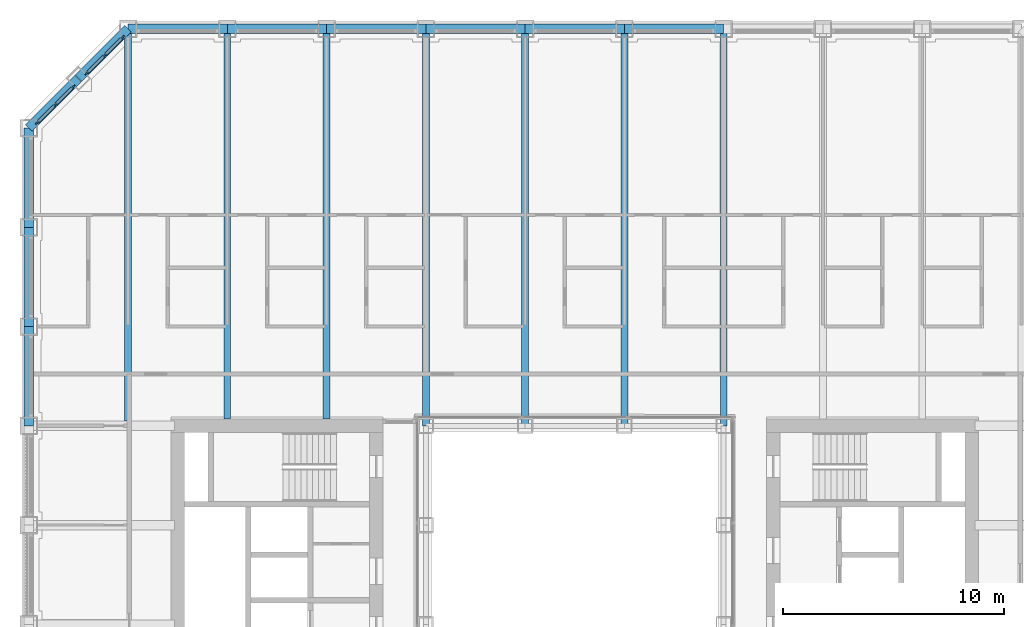
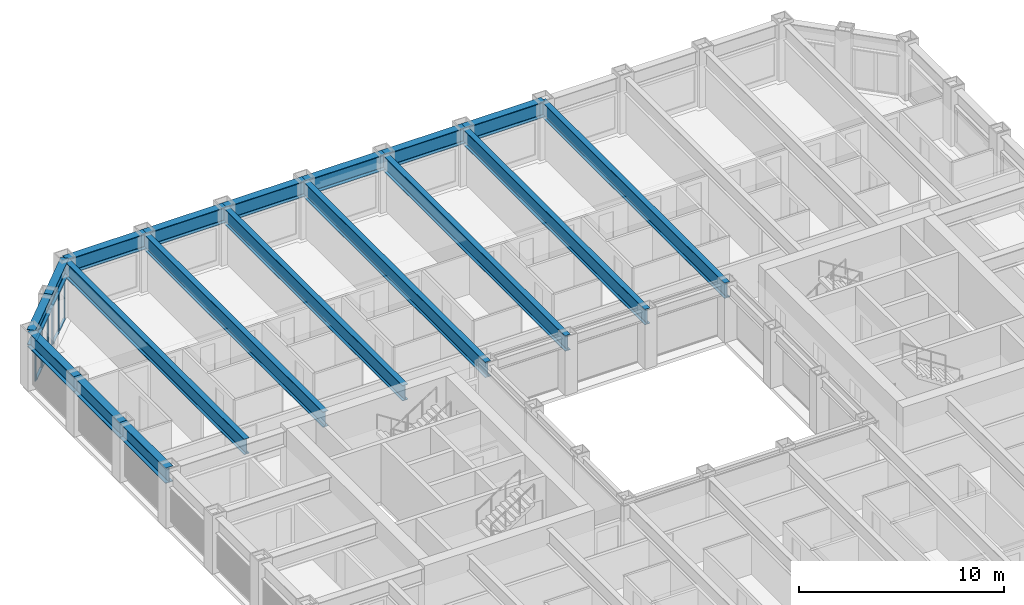
# One storey, part 6 of 21: 18 beams, 14 members, 2 elements without a shape of their own.
"""IFC4 building model written with IfcOpenShell, lengths in metres."""

from ifc_helpers import new_model, si_unit, direction, frame, origin, origin_2d, place, context, subcontext, project, spatial, rectangle, i_section, extrude, material, material_profile, profile_set, type_object, element, aggregate, save


model = new_model("IFC4")

# Units and contexts
model_context = context("Model", 3, precision=1e-05, world=origin(), true_north=direction((0.0, 1.0)))
body_context = subcontext(model_context, "Body", "Model", "MODEL_VIEW")
ifc_project = project(units=[si_unit("LENGTHUNIT", "METRE"), si_unit("AREAUNIT", "SQUARE_METRE"), si_unit("VOLUMEUNIT", "CUBIC_METRE"), si_unit("PLANEANGLEUNIT", "RADIAN"), si_unit("MASSUNIT", "GRAM", prefix="KILO")], contexts=[model_context])

# Site, building, storey
site_placement = place(None, origin())
site = spatial("IfcSite", under=ifc_project, at=site_placement, CompositionType="ELEMENT")
building_placement = place(site_placement, origin())
building = spatial("IfcBuilding", under=site, at=building_placement, Name="Msasa Ring Tower", CompositionType="ELEMENT")
storey_placement = place(building_placement, frame((0.0, 0.0, 93.0)))
storey = spatial("IfcBuildingStorey", under=building, at=storey_placement, Name="L24", CompositionType="ELEMENT", Elevation=93.0)

# Curtain wall, members
ifc_material_1 = material(Name="Aluminium curtain wall with clear glass", Category="aluminium")
curtain_wall_type = type_object("IfcCurtainWallType", Name="CW-C CHAMFER CORNER CURTAIN WALL", PredefinedType="NOTDEFINED", material=ifc_material_1)
curtain_wall_1_placement = place(storey_placement, origin())
curtain_wall_1 = element("IfcCurtainWall", 1, at=curtain_wall_1_placement, inside=storey, type_object=curtain_wall_type, Name="Chamfer corner curtain wall NW L24", PredefinedType="NOTDEFINED")
ifc_material_2 = material(Name="Aluminium mullion", Category="aluminium")
ifc_material_profile_1 = material_profile(ifc_material_2, rectangle(XDim=0.06494140625, YDim=0.179931640625, at=origin_2d()), Name="AL 65x180")
ifc_profile_set_1 = profile_set([ifc_material_profile_1], Name="Aluminium mullion")
member_type_1 = type_object("IfcMemberType", Name="CW-C MULLION 65x180", PredefinedType="MULLION", material=ifc_profile_set_1)
member_1_placement = place(storey_placement, frame((-22.73876953125, 22.119873046875, 0.0), z_axis=(0.0, 0.0, 1.0), x_axis=(0.707106781187, -0.707106781187, 0.0)))
member_1 = element("IfcMember", 2, at=member_1_placement, type_object=member_type_1, Name="CW-C mullion 1", PredefinedType="MULLION", context=body_context, shape_type="SweptSolid", body=[
    extrude(rectangle(XDim=0.06494140625, YDim=0.179931640625, at=origin_2d()), origin(), (0.0, 0.0, 1.0), 2.37890625),
])
member_2_placement = place(storey_placement, frame((-23.55419921875, 21.30419921875, 0.0), z_axis=(0.0, 0.0, 1.0), x_axis=(0.707106781187, -0.707106781187, 0.0)))
member_2 = element("IfcMember", 3, at=member_2_placement, type_object=member_type_1, Name="CW-C mullion 2", PredefinedType="MULLION", context=body_context, shape_type="SweptSolid", body=[
    extrude(rectangle(XDim=0.06494140625, YDim=0.179931640625, at=origin_2d()), origin(), (0.0, 0.0, 1.0), 2.37890625),
])
member_3_placement = place(storey_placement, frame((-24.369873046875, 20.48876953125, 0.0), z_axis=(0.0, 0.0, 1.0), x_axis=(0.707106781187, -0.707106781187, 0.0)))
member_3 = element("IfcMember", 4, at=member_3_placement, type_object=member_type_1, Name="CW-C mullion 3", PredefinedType="MULLION", context=body_context, shape_type="SweptSolid", body=[
    extrude(rectangle(XDim=0.06494140625, YDim=0.179931640625, at=origin_2d()), origin(), (0.0, 0.0, 1.0), 2.37890625),
])

curtain_wall_2_placement = place(storey_placement, origin())
curtain_wall_2 = element("IfcCurtainWall", 5, at=curtain_wall_2_placement, inside=storey, type_object=curtain_wall_type, Name="Chamfer corner curtain wall NW L24", PredefinedType="NOTDEFINED")
member_4_placement = place(storey_placement, frame((-20.48876953125, 24.369873046875, 0.0), z_axis=(0.0, 0.0, 1.0), x_axis=(0.707106781187, -0.707106781187, 0.0)))
member_4 = element("IfcMember", 6, at=member_4_placement, type_object=member_type_1, Name="CW-C mullion 1", PredefinedType="MULLION", context=body_context, shape_type="SweptSolid", body=[
    extrude(rectangle(XDim=0.06494140625, YDim=0.179931640625, at=origin_2d()), origin(), (0.0, 0.0, 1.0), 2.37890625),
])
member_5_placement = place(storey_placement, frame((-21.30419921875, 23.55419921875, 0.0), z_axis=(0.0, 0.0, 1.0), x_axis=(0.707106781187, -0.707106781187, 0.0)))
member_5 = element("IfcMember", 7, at=member_5_placement, type_object=member_type_1, Name="CW-C mullion 2", PredefinedType="MULLION", context=body_context, shape_type="SweptSolid", body=[
    extrude(rectangle(XDim=0.06494140625, YDim=0.179931640625, at=origin_2d()), origin(), (0.0, 0.0, 1.0), 2.37890625),
])
member_6_placement = place(storey_placement, frame((-22.119873046875, 22.73876953125, 0.0), z_axis=(0.0, 0.0, 1.0), x_axis=(0.707106781187, -0.707106781187, 0.0)))
member_6 = element("IfcMember", 8, at=member_6_placement, type_object=member_type_1, Name="CW-C mullion 3", PredefinedType="MULLION", context=body_context, shape_type="SweptSolid", body=[
    extrude(rectangle(XDim=0.06494140625, YDim=0.179931640625, at=origin_2d()), origin(), (0.0, 0.0, 1.0), 2.37890625),
])

# Member
ifc_material_3 = material(Name="Aluminium transom", Category="aluminium")
ifc_material_profile_2 = material_profile(ifc_material_3, rectangle(XDim=0.139892578125, YDim=0.06494140625, at=origin_2d()), Name="AL 65x140")
ifc_profile_set_2 = profile_set([ifc_material_profile_2], Name="Aluminium transom")
member_type_2 = type_object("IfcMemberType", Name="CW-C TRANSOM 65x140", PredefinedType="USERDEFINED", material=ifc_profile_set_2)
member_7_placement = place(storey_placement, frame((-22.76171875, 22.096923828125, 0.032470703125), z_axis=(-0.707106781187, -0.707106781187, 0.0), x_axis=(0.707106781187, -0.707106781187, 0.0)))
member_7 = element("IfcMember", 9, at=member_7_placement, type_object=member_type_2, Name="CW-C transom 1.1", ObjectType="TRANSOM", PredefinedType="USERDEFINED", context=body_context, shape_type="SweptSolid", body=[
    extrude(rectangle(XDim=0.139892578125, YDim=0.06494140625, at=origin_2d()), origin(), (0.0, 0.0, 1.0), 1.08837890625),
])

member_8_placement = place(storey_placement, frame((-22.76171875, 22.096923828125, 2.346435546875), z_axis=(-0.707106781187, -0.707106781187, 0.0), x_axis=(0.707106781187, -0.707106781187, 0.0)))
member_8 = element("IfcMember", 10, at=member_8_placement, type_object=member_type_2, Name="CW-C transom 1.2", ObjectType="TRANSOM", PredefinedType="USERDEFINED", context=body_context, shape_type="SweptSolid", body=[
    extrude(rectangle(XDim=0.139892578125, YDim=0.06494140625, at=origin_2d()), origin(), (0.0, 0.0, 1.0), 1.08837890625),
])

member_9_placement = place(storey_placement, frame((-23.577392578125, 21.28125, 0.032470703125), z_axis=(-0.707106781187, -0.707106781187, 0.0), x_axis=(0.707106781187, -0.707106781187, 0.0)))
member_9 = element("IfcMember", 11, at=member_9_placement, type_object=member_type_2, Name="CW-C transom 2.1", ObjectType="TRANSOM", PredefinedType="USERDEFINED", context=body_context, shape_type="SweptSolid", body=[
    extrude(rectangle(XDim=0.139892578125, YDim=0.06494140625, at=origin_2d()), origin(), (0.0, 0.0, 1.0), 1.08837890625),
])

member_10_placement = place(storey_placement, frame((-23.577392578125, 21.28125, 2.346435546875), z_axis=(-0.707106781187, -0.707106781187, 0.0), x_axis=(0.707106781187, -0.707106781187, 0.0)))
member_10 = element("IfcMember", 12, at=member_10_placement, type_object=member_type_2, Name="CW-C transom 2.2", ObjectType="TRANSOM", PredefinedType="USERDEFINED", context=body_context, shape_type="SweptSolid", body=[
    extrude(rectangle(XDim=0.139892578125, YDim=0.06494140625, at=origin_2d()), origin(), (0.0, 0.0, 1.0), 1.08837890625),
])

aggregate(curtain_wall_1, [member_1, member_2, member_3, member_7, member_8, member_9, member_10])

member_11_placement = place(storey_placement, frame((-20.51171875, 24.346923828125, 0.032470703125), z_axis=(-0.707106781187, -0.707106781187, 0.0), x_axis=(0.707106781187, -0.707106781187, 0.0)))
member_11 = element("IfcMember", 13, at=member_11_placement, type_object=member_type_2, Name="CW-C transom 1.1", ObjectType="TRANSOM", PredefinedType="USERDEFINED", context=body_context, shape_type="SweptSolid", body=[
    extrude(rectangle(XDim=0.139892578125, YDim=0.06494140625, at=origin_2d()), origin(), (0.0, 0.0, 1.0), 1.08837890625),
])

member_12_placement = place(storey_placement, frame((-20.51171875, 24.346923828125, 2.346435546875), z_axis=(-0.707106781187, -0.707106781187, 0.0), x_axis=(0.707106781187, -0.707106781187, 0.0)))
member_12 = element("IfcMember", 14, at=member_12_placement, type_object=member_type_2, Name="CW-C transom 1.2", ObjectType="TRANSOM", PredefinedType="USERDEFINED", context=body_context, shape_type="SweptSolid", body=[
    extrude(rectangle(XDim=0.139892578125, YDim=0.06494140625, at=origin_2d()), origin(), (0.0, 0.0, 1.0), 1.08837890625),
])

member_13_placement = place(storey_placement, frame((-21.327392578125, 23.53125, 0.032470703125), z_axis=(-0.707106781187, -0.707106781187, 0.0), x_axis=(0.707106781187, -0.707106781187, 0.0)))
member_13 = element("IfcMember", 15, at=member_13_placement, type_object=member_type_2, Name="CW-C transom 2.1", ObjectType="TRANSOM", PredefinedType="USERDEFINED", context=body_context, shape_type="SweptSolid", body=[
    extrude(rectangle(XDim=0.139892578125, YDim=0.06494140625, at=origin_2d()), origin(), (0.0, 0.0, 1.0), 1.08837890625),
])

member_14_placement = place(storey_placement, frame((-21.327392578125, 23.53125, 2.346435546875), z_axis=(-0.707106781187, -0.707106781187, 0.0), x_axis=(0.707106781187, -0.707106781187, 0.0)))
member_14 = element("IfcMember", 16, at=member_14_placement, type_object=member_type_2, Name="CW-C transom 2.2", ObjectType="TRANSOM", PredefinedType="USERDEFINED", context=body_context, shape_type="SweptSolid", body=[
    extrude(rectangle(XDim=0.139892578125, YDim=0.06494140625, at=origin_2d()), origin(), (0.0, 0.0, 1.0), 1.08837890625),
])

aggregate(curtain_wall_2, [member_4, member_5, member_6, member_11, member_12, member_13, member_14])

# Beams
ifc_material_4 = material(Name="Steel S355", Category="steel")
ifc_material_profile_3 = material_profile(ifc_material_4, i_section(OverallWidth=0.3076171875, OverallDepth=0.926513671875, WebThickness=0.01953125, FlangeThickness=0.031982421875, FilletRadius=0.01904296875, at=origin_2d()), Name="UB 914x305x289")
ifc_profile_set_3 = profile_set([ifc_material_profile_3], Name="Steel S355")
beam_type_1 = type_object("IfcBeamType", Name="FB3 UB 914x305x289", PredefinedType="BEAM", material=ifc_profile_set_3)
beam_placement = place(storey_placement, frame((-20.25, 24.75, 2.836669921875), z_axis=(0.0, -1.0, 0.0), x_axis=(1.0, 0.0, 0.0)))
element("IfcBeam", 17, at=beam_placement, inside=storey, type_object=beam_type_1, Name="Floor beam N-20.25 under L25", PredefinedType="BEAM", context=body_context, shape_type="SweptSolid", body=[
    extrude(i_section(OverallWidth=0.3076171875, OverallDepth=0.926513671875, WebThickness=0.01953125, FlangeThickness=0.031982421875, FilletRadius=0.01904296875, at=origin_2d()), origin(), (0.0, 0.0, 1.0), 17.789794921875),
])
for number, where, z_axis, x_axis, name in (
    (18, (-15.75, 24.75, 2.836669921875), (0.0, -1.0, 0.0), (1.0, 0.0, 0.0), "Floor beam N-15.75 under L25"),
    (19, (-11.25, 24.75, 2.836669921875), (0.0, -1.0, 0.0), (1.0, 0.0, 0.0), "Floor beam N-11.25 under L25"),
):
    element("IfcBeam", number, at=place(storey_placement, frame(where, z_axis=z_axis, x_axis=x_axis)), inside=storey, type_object=beam_type_1, Name=name, PredefinedType="BEAM", context=body_context, shape_type="SweptSolid", body=[
        extrude(i_section(OverallWidth=0.3076171875, OverallDepth=0.926513671875, WebThickness=0.01953125, FlangeThickness=0.031982421875, FilletRadius=0.01904296875, at=origin_2d()), origin(), (0.0, 0.0, 1.0), 17.699951171875),
    ])
for number, where, z_axis, x_axis, name in (
    (20, (-6.75, 24.75, 2.836669921875), (0.0, -1.0, 0.0), (1.0, 0.0, 0.0), "Floor beam N-6.75 under L25"),
    (21, (-2.25, 24.75, 2.836669921875), (0.0, -1.0, 0.0), (1.0, 0.0, 0.0), "Floor beam N-2.25 under L25"),
    (22, (2.25, 24.75, 2.836669921875), (0.0, -1.0, 0.0), (1.0, 0.0, 0.0), "Floor beam N+2.25 under L25"),
    (23, (6.75, 24.75, 2.836669921875), (0.0, -1.0, 0.0), (1.0, 0.0, 0.0), "Floor beam N+6.75 under L25"),
):
    element("IfcBeam", number, at=place(storey_placement, frame(where, z_axis=z_axis, x_axis=x_axis)), inside=storey, type_object=beam_type_1, Name=name, PredefinedType="BEAM", context=body_context, shape_type="SweptSolid", body=[
        extrude(i_section(OverallWidth=0.3076171875, OverallDepth=0.926513671875, WebThickness=0.01953125, FlangeThickness=0.031982421875, FilletRadius=0.01904296875, at=origin_2d()), origin(), (0.0, 0.0, 1.0), 18.0),
    ])
ifc_material_5 = material(Name="Steel S355", Category="steel")
ifc_material_profile_4 = material_profile(ifc_material_5, i_section(OverallWidth=0.42041015625, OverallDepth=0.9208984375, WebThickness=0.021484375, FlangeThickness=0.03662109375, FilletRadius=0.024169921875, at=origin_2d()), Name="UB 914x419x388")
ifc_profile_set_4 = profile_set([ifc_material_profile_4], Name="Steel S355")
beam_type_2 = type_object("IfcBeamType", Name="SB1 UB 914x419x388", PredefinedType="SPANDREL", material=ifc_profile_set_4)
for number, where, z_axis, x_axis, name in (
    (24, (6.75, 24.75, 2.839599609375), (-1.0, 0.0, 0.0), (0.0, -1.0, 0.0), "Spandrel N+6.75 to N+2.25 under L25"),
    (25, (2.25, 24.75, 2.839599609375), (-1.0, 0.0, 0.0), (0.0, -1.0, 0.0), "Spandrel N+2.25 to N-2.25 under L25"),
    (26, (-2.25, 24.75, 2.839599609375), (-1.0, 0.0, 0.0), (0.0, -1.0, 0.0), "Spandrel N-2.25 to N-6.75 under L25"),
    (27, (-6.75, 24.75, 2.839599609375), (-1.0, 0.0, 0.0), (0.0, -1.0, 0.0), "Spandrel N-6.75 to N-11.25 under L25"),
    (28, (-11.25, 24.75, 2.839599609375), (-1.0, 0.0, 0.0), (0.0, -1.0, 0.0), "Spandrel N-11.25 to N-15.75 under L25"),
    (29, (-15.75, 24.75, 2.839599609375), (-1.0, 0.0, 0.0), (0.0, -1.0, 0.0), "Spandrel N-15.75 to N-20.25 under L25"),
):
    element("IfcBeam", number, at=place(storey_placement, frame(where, z_axis=z_axis, x_axis=x_axis)), inside=storey, type_object=beam_type_2, Name=name, PredefinedType="SPANDREL", context=body_context, shape_type="SweptSolid", body=[
        extrude(i_section(OverallWidth=0.42041015625, OverallDepth=0.9208984375, WebThickness=0.021484375, FlangeThickness=0.03662109375, FilletRadius=0.024169921875, at=origin_2d()), origin(), (0.0, 0.0, 1.0), 4.5),
    ])
for number, where, z_axis, x_axis, name in (
    (30, (-20.25, 24.75, 2.839599609375), (-0.707106781187, -0.707106781187, 0.0), (0.707106781187, -0.707106781187, 0.0), "Spandrel N-20.25 to NW under L25"),
    (31, (-22.5, 22.5, 2.839599609375), (-0.707106781187, -0.707106781187, 0.0), (0.707106781187, -0.707106781187, 0.0), "Spandrel NW to W+20.25 under L25"),
):
    element("IfcBeam", number, at=place(storey_placement, frame(where, z_axis=z_axis, x_axis=x_axis)), inside=storey, type_object=beam_type_2, Name=name, PredefinedType="SPANDREL", context=body_context, shape_type="SweptSolid", body=[
        extrude(i_section(OverallWidth=0.42041015625, OverallDepth=0.9208984375, WebThickness=0.021484375, FlangeThickness=0.03662109375, FilletRadius=0.024169921875, at=origin_2d()), origin(), (0.0, 0.0, 1.0), 3.181884765625),
    ])
for number, where, z_axis, x_axis, name in (
    (32, (-24.75, 20.25, 2.839599609375), (0.0, -1.0, 0.0), (1.0, 0.0, 0.0), "Spandrel W+20.25 to W+15.75 under L25"),
    (33, (-24.75, 15.75, 2.839599609375), (0.0, -1.0, 0.0), (1.0, 0.0, 0.0), "Spandrel W+15.75 to W+11.25 under L25"),
    (34, (-24.75, 11.25, 2.839599609375), (0.0, -1.0, 0.0), (1.0, 0.0, 0.0), "Spandrel W+11.25 to W+6.75 under L25"),
):
    element("IfcBeam", number, at=place(storey_placement, frame(where, z_axis=z_axis, x_axis=x_axis)), inside=storey, type_object=beam_type_2, Name=name, PredefinedType="SPANDREL", context=body_context, shape_type="SweptSolid", body=[
        extrude(i_section(OverallWidth=0.42041015625, OverallDepth=0.9208984375, WebThickness=0.021484375, FlangeThickness=0.03662109375, FilletRadius=0.024169921875, at=origin_2d()), origin(), (0.0, 0.0, 1.0), 4.5),
    ])

save(model, "model.ifc")
